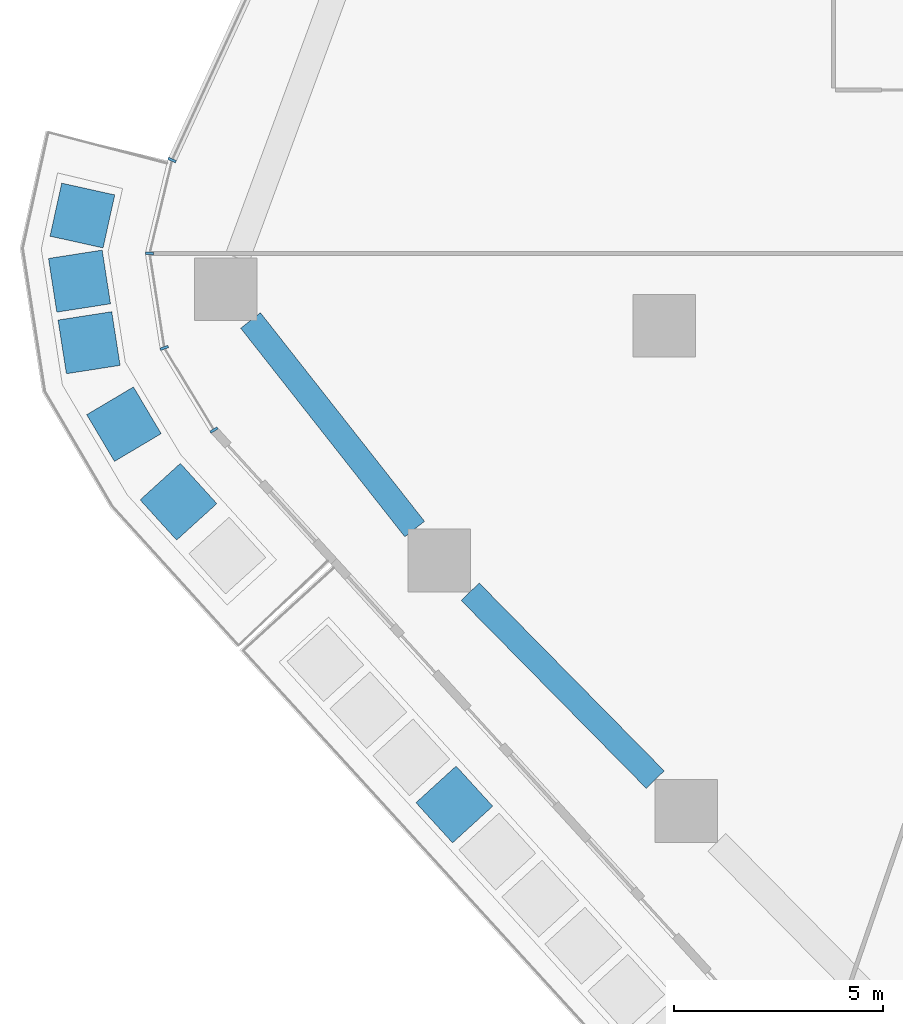
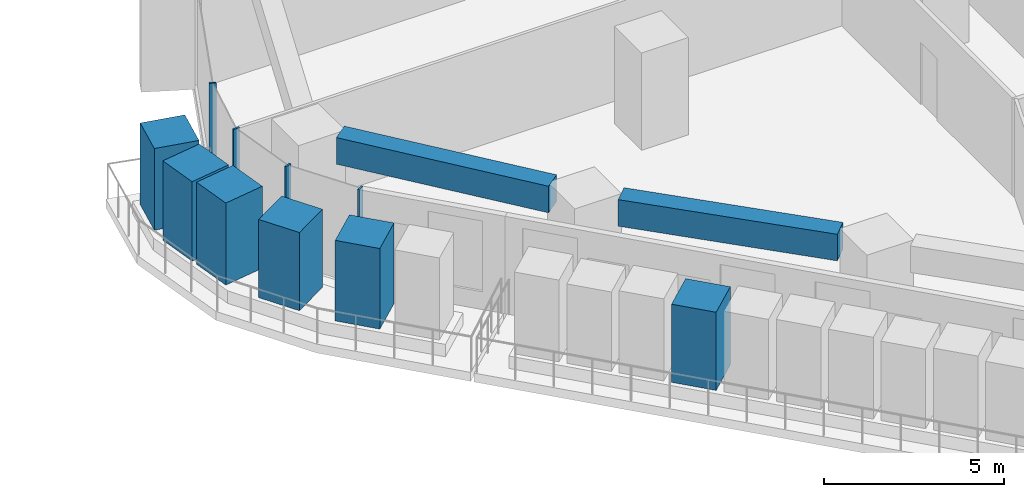
# One storey, part 3 of 26: 10 members, 2 beams, 2 elements without a shape of their own.
"""IFC4 building model written with IfcOpenShell, lengths in metres."""

import ifcopenshell
import ifcopenshell.guid

model = None  # the IFC model being written
_history = None  # IfcOwnerHistory: only IFC2X3 demands one
_inside = {}  # id of a spatial element -> (the spatial element, [elements in it])
_under = {}  # id of a project, library or spatial element -> (it, [spatial elements below it])
_declared = {}  # id of a project -> (the project, [libraries it declares])
_typed = {}  # id of a type object -> (the type object, [elements of that type])
_made_of = {}  # id of a material, layer set ... -> (it, [elements and type objects made of it])


def new_model(schema):
    """Start an empty IFC model of exactly this schema.

    Asked for "IFC4X3", IfcOpenShell would pick the latest addendum, in which some entities
    have other attributes; the version numbers below select the first issue.
    IFC2X3 requires an IfcOwnerHistory on every rooted entity: one is made here for all.
    """
    global model, _history
    if schema == "IFC4X3":
        model = ifcopenshell.file(schema_version=(4, 3, 0, 0))
    else:
        model = ifcopenshell.file(schema=schema)
    _inside.clear()
    _under.clear()
    _declared.clear()
    _typed.clear()
    _made_of.clear()
    _history = None
    if model.schema == "IFC2X3":
        org = make("IfcOrganization", Name="unknown")
        user = make(
            "IfcPersonAndOrganization",
            ThePerson=make("IfcPerson", FamilyName="unknown"),
            TheOrganization=org,
        )
        app = make(
            "IfcApplication",
            ApplicationDeveloper=org,
            Version="unknown",
            ApplicationFullName="unknown",
            ApplicationIdentifier="unknown",
        )
        _history = make(
            "IfcOwnerHistory",
            OwningUser=user,
            OwningApplication=app,
            ChangeAction="ADDED",
            CreationDate=0,
        )
    return model


def make(cls, **values):
    """One entity of the class cls with the attributes given. An attribute that is None is left unset."""
    return model.create_entity(
        cls, **{name: value for name, value in values.items() if value is not None}
    )


def rooted(cls, **values):
    """An entity with a GlobalId (a new one), such as an element, a storey or a relation."""
    return make(cls, GlobalId=ifcopenshell.guid.new(), OwnerHistory=_history, **values)


def si_unit(unit_type, name, prefix=None):
    """IfcSIUnit, for example si_unit("LENGTHUNIT", "METRE", prefix="MILLI")."""
    return make("IfcSIUnit", UnitType=unit_type, Prefix=prefix, Name=name)


def assignment(units):
    """IfcUnitAssignment: the units of a project."""
    return None if units is None else make("IfcUnitAssignment", Units=units)


def point(xyz):
    """IfcCartesianPoint."""
    return None if xyz is None else make("IfcCartesianPoint", Coordinates=xyz)


def direction(xyz):
    """IfcDirection."""
    return None if xyz is None else make("IfcDirection", DirectionRatios=xyz)


def frame(location, z_axis=None, x_axis=None):
    """IfcAxis2Placement3D, a coordinate frame: its origin and axes. An axis left out is left unset."""
    return make(
        "IfcAxis2Placement3D",
        Location=point(location),
        Axis=direction(z_axis),
        RefDirection=direction(x_axis),
    )


def frame_2d(location, x_axis=None):
    """IfcAxis2Placement2D, a coordinate frame in the plane: its origin and x axis."""
    return make(
        "IfcAxis2Placement2D", Location=point(location), RefDirection=direction(x_axis)
    )


def origin():
    """The frame at (0, 0, 0) with its axes left unset."""
    return frame((0.0, 0.0, 0.0))


def origin_2d():
    """The frame at (0, 0) in the plane with its x axis left unset."""
    return frame_2d((0.0, 0.0))


def place(relative_to, where):
    """IfcLocalPlacement: puts the frame where relative to a parent placement (None: the world)."""
    return make(
        "IfcLocalPlacement", PlacementRelTo=relative_to, RelativePlacement=where
    )


def context(
    kind, dimensions, precision=None, world=None, true_north=None, identifier=None
):
    """IfcGeometricRepresentationContext, for example the 3D "Model" context."""
    return make(
        "IfcGeometricRepresentationContext",
        ContextIdentifier=identifier,
        ContextType=kind,
        CoordinateSpaceDimension=dimensions,
        Precision=precision,
        WorldCoordinateSystem=world,
        TrueNorth=true_north,
    )


def subcontext(parent, identifier, kind, view, scale=None):
    """IfcGeometricRepresentationSubContext, for example "Body" below "Model"."""
    return make(
        "IfcGeometricRepresentationSubContext",
        ContextIdentifier=identifier,
        ContextType=kind,
        ParentContext=parent,
        TargetScale=scale,
        TargetView=view,
    )


def project(units=None, contexts=None):
    """IfcProject with its units and contexts."""
    return rooted(
        "IfcProject",
        Name="project",
        RepresentationContexts=contexts,
        UnitsInContext=assignment(units),
    )


def spatial(cls, under=None, at=None, **own):
    """A site, building, storey or space (cls), placed at a placement, below another one or the project."""
    s = rooted(cls, ObjectPlacement=at, **own)
    if under is not None:
        _under.setdefault(under.id(), (under, []))[1].append(s)
    return s


def profile(cls, at=None, kind="AREA", **sizes):
    """A parametric profile (cls). Its sizes go by their IFC names, for example OverallWidth=200.0."""
    return make(cls, ProfileType=kind, Position=at, **sizes)


def rectangle(**sizes):
    """IfcRectangleProfileDef."""
    return profile("IfcRectangleProfileDef", **sizes)


def extrude(swept, where, along, depth):
    """IfcExtrudedAreaSolid: the profile swept, set in the frame where, extruded along a direction by depth."""
    return make(
        "IfcExtrudedAreaSolid",
        SweptArea=swept,
        Position=where,
        ExtrudedDirection=direction(along),
        Depth=depth,
    )


def shape(context_of_items, identifier, shape_type, items):
    """IfcShapeRepresentation: the items that make up one representation, for example the "Body"."""
    return make(
        "IfcShapeRepresentation",
        ContextOfItems=context_of_items,
        RepresentationIdentifier=identifier,
        RepresentationType=shape_type,
        Items=items,
    )


def material(Name=None, Category=None):
    """IfcMaterial."""
    return make("IfcMaterial", Name=Name, Category=Category)


def layer(
    of_material, thickness, ventilated=None, Name=None, Category=None, Priority=None
):
    """IfcMaterialLayer: one layer of a wall or slab, of a material (None: an air gap)."""
    return make(
        "IfcMaterialLayer",
        Material=of_material,
        LayerThickness=thickness,
        IsVentilated=ventilated,
        Name=Name,
        Category=Category,
        Priority=Priority,
    )


def layer_set(layers, Name=None):
    """IfcMaterialLayerSet."""
    return make("IfcMaterialLayerSet", MaterialLayers=layers, LayerSetName=Name)


def material_profile(
    of_material, cross_section, Name=None, Category=None, Priority=None
):
    """IfcMaterialProfile: a cross section and its material."""
    return make(
        "IfcMaterialProfile",
        Name=Name,
        Material=of_material,
        Profile=cross_section,
        Priority=Priority,
        Category=Category,
    )


def profile_set(profiles, Name=None, composite=None):
    """IfcMaterialProfileSet."""
    return make(
        "IfcMaterialProfileSet",
        Name=Name,
        MaterialProfiles=profiles,
        CompositeProfile=composite,
    )


def made_of(thing, what):
    """Note that an element or type object is made of a material, layer set ...; save() writes the relation."""
    if what is not None:
        _made_of.setdefault(what.id(), (what, []))[1].append(thing)
    return thing


def type_object(cls, material=None, **own):
    """A type object (cls), such as IfcWallType, which elements share."""
    return made_of(rooted(cls, **own), material)


def element(
    cls,
    number,
    at=None,
    inside=None,
    cuts=None,
    type_object=None,
    material=None,
    context=None,
    identifier="Body",
    shape_type=None,
    held_by="IfcProductDefinitionShape",
    body=None,
    shapes=None,
    **own,
):
    """One element of the class cls, such as IfcWall. Its Tag is "e" and its number.

    at: its placement. inside: the storey or other place that contains it. cuts: it is an
    opening in that element (IfcRelVoidsElement). A single representation is given by context,
    identifier, shape_type and body (its items); several are given by shapes. held_by: the class
    of the entity that holds the representations. save() writes the other relations.
    """
    e = rooted(cls, Tag="e%d" % number, ObjectPlacement=at, **own)
    if body is not None:
        shapes = [shape(context, identifier, shape_type, body)]
    if shapes is not None:
        e.Representation = make(held_by, Representations=shapes)
    if inside is not None:
        _inside.setdefault(inside.id(), (inside, []))[1].append(e)
    if cuts is not None:
        rooted(
            "IfcRelVoidsElement", RelatingBuildingElement=cuts, RelatedOpeningElement=e
        )
    if type_object is not None:
        _typed.setdefault(type_object.id(), (type_object, []))[1].append(e)
    return made_of(e, material)


def aggregate(whole, parts):
    """IfcRelAggregates: a whole, such as a stair, and the parts it consists of."""
    return rooted("IfcRelAggregates", RelatingObject=whole, RelatedObjects=parts)


def save(model, path):
    """Write the relations noted so far, then the file.

    IfcRelAggregates (storeys below a building ...), IfcRelContainedInSpatialStructure (elements
    in a storey), IfcRelDefinesByType, IfcRelAssociatesMaterial and IfcRelDeclares: one each for
    every whole, place, type object, material and project.
    """
    for whole, parts in _under.values():
        aggregate(whole, parts)
    for where, things in _inside.values():
        rooted(
            "IfcRelContainedInSpatialStructure",
            RelatedElements=things,
            RelatingStructure=where,
        )
    for kind, things in _typed.values():
        rooted("IfcRelDefinesByType", RelatedObjects=things, RelatingType=kind)
    for what, things in _made_of.values():
        rooted("IfcRelAssociatesMaterial", RelatedObjects=things, RelatingMaterial=what)
    for by, libraries in _declared.values():
        rooted("IfcRelDeclares", RelatingContext=by, RelatedDefinitions=libraries)
    model.write(path)


model = new_model("IFC4")

# Units and contexts
model_context = context("Model", 3, precision=1e-05, world=origin(), true_north=direction((0.0, 1.0)))
body_context = subcontext(model_context, "Body", "Model", "MODEL_VIEW")
ifc_project = project(units=[si_unit("LENGTHUNIT", "METRE"), si_unit("AREAUNIT", "SQUARE_METRE"), si_unit("VOLUMEUNIT", "CUBIC_METRE"), si_unit("PLANEANGLEUNIT", "RADIAN"), si_unit("MASSUNIT", "GRAM", prefix="KILO")], contexts=[model_context])

# Site, building, storey
site_placement = place(None, origin())
site = spatial("IfcSite", under=ifc_project, at=site_placement, CompositionType="ELEMENT")
building_placement = place(site_placement, origin())
building = spatial("IfcBuilding", under=site, at=building_placement, Name="Dongbaek Canopy Tower", CompositionType="ELEMENT")
storey_placement = place(building_placement, frame((0.0, 0.0, 66.199951171875)))
storey = spatial("IfcBuildingStorey", under=building, at=storey_placement, Name="L12", CompositionType="ELEMENT", Elevation=66.199951171875)

# Curtain wall, member
ifc_material_1 = material(Name="Aluminium 6063-T6 pale anodised", Category="aluminium")
ifc_layer = layer(ifc_material_1, 0.199951171875)
ifc_layer_set = layer_set([ifc_layer], Name="CW-1 unitised tower curtain wall")
curtain_wall_type = type_object("IfcCurtainWallType", Name="CW-1 unitised tower curtain wall", PredefinedType="NOTDEFINED", material=ifc_layer_set)
curtain_wall_1_placement = place(storey_placement, origin())
curtain_wall_1 = element("IfcCurtainWall", 1, at=curtain_wall_1_placement, inside=storey, type_object=curtain_wall_type, Name="CW-1 curtain wall F2.1", PredefinedType="NOTDEFINED")
ifc_material_2 = material(Name="Aluminium 6063-T6 pale anodised", Category="aluminium")
ifc_material_profile_1 = material_profile(ifc_material_2, rectangle(XDim=0.199951171875, YDim=0.06005859375, at=origin_2d()), Name="CW-1 mullion 60 x 200")
ifc_profile_set_1 = profile_set([ifc_material_profile_1], Name="Aluminium 6063-T6 pale anodised")
member_type_1 = type_object("IfcMemberType", Name="CW-1 mullion 60 x 200", PredefinedType="MULLION", material=ifc_profile_set_1)
member_1_placement = place(storey_placement, frame((-38.776611328125, -5.03515625, 0.1201171875), z_axis=(0.0, 0.0, 1.0), x_axis=(-0.908435687115, 0.418024643264, 0.0)))
member_1 = element("IfcMember", 2, at=member_1_placement, type_object=member_type_1, Name="CW-1 mullion F2.1.10", PredefinedType="MULLION", context=body_context, shape_type="SweptSolid", body=[
    extrude(rectangle(XDim=0.199951171875, YDim=0.06005859375, at=origin_2d()), origin(), (0.0, 0.0, 1.0), 3.179931640625),
])
aggregate(curtain_wall_1, [member_1])

# Curtain wall, members
curtain_wall_2_placement = place(storey_placement, origin())
curtain_wall_2 = element("IfcCurtainWall", 3, at=curtain_wall_2_placement, inside=storey, type_object=curtain_wall_type, Name="CW-1 curtain wall K3.1", PredefinedType="NOTDEFINED")
member_2_placement = place(storey_placement, frame((-39.31396484375, -7.268798828125, 0.0), z_axis=(0.0, 0.0, 1.0), x_axis=(-0.999160812503, 0.040959379368, 0.0)))
member_2 = element("IfcMember", 4, at=member_2_placement, type_object=member_type_1, Name="CW-1 mullion K3.1.2", PredefinedType="MULLION", context=body_context, shape_type="SweptSolid", body=[
    extrude(rectangle(XDim=0.199951171875, YDim=0.06005859375, at=origin_2d()), origin(), (0.0, 0.0, 1.0), 3.300048828125),
])
member_3_placement = place(storey_placement, frame((-38.962890625, -9.529052734375, 0.0), z_axis=(0.0, 0.0, 1.0), x_axis=(-0.939602897843, -0.342266554551, 0.0)))
member_3 = element("IfcMember", 5, at=member_3_placement, type_object=member_type_1, Name="CW-1 mullion K3.1.3", PredefinedType="MULLION", context=body_context, shape_type="SweptSolid", body=[
    extrude(rectangle(XDim=0.199951171875, YDim=0.06005859375, at=origin_2d()), origin(), (0.0, 0.0, 1.0), 3.300048828125),
])
member_4_placement = place(storey_placement, frame((-37.772705078125, -11.494140625, 0.0), z_axis=(0.0, 0.0, 1.0), x_axis=(-0.855398020163, -0.517971260884, 0.0)))
member_4 = element("IfcMember", 6, at=member_4_placement, type_object=member_type_1, Name="CW-1 mullion K3.1.4", PredefinedType="MULLION", context=body_context, shape_type="SweptSolid", body=[
    extrude(rectangle(XDim=0.199951171875, YDim=0.06005859375, at=origin_2d()), origin(), (0.0, 0.0, 1.0), 3.300048828125),
])
aggregate(curtain_wall_2, [member_2, member_3, member_4])

# Beams
ifc_material_3 = material(Name="Concrete C80", Category="concrete")
ifc_material_profile_2 = material_profile(ifc_material_3, rectangle(XDim=0.60009765625, YDim=0.89990234375, at=origin_2d()), Name="RC EDGE BEAM 600x900 C80")
ifc_profile_set_2 = profile_set([ifc_material_profile_2], Name="Concrete C80")
beam_type = type_object("IfcBeamType", Name="RC EDGE BEAM 600x900 C80", PredefinedType="BEAM", material=ifc_profile_set_2)
beam_1_placement = place(storey_placement, frame((-27.216552734375, -19.85791015625, 2.85009765625), z_axis=(-0.701687682569, 0.712484663787, 0.0), x_axis=(-0.712484663787, -0.701687682569, 0.0)))
element("IfcBeam", 7, at=beam_1_placement, inside=storey, type_object=beam_type, Name="EDGEBEAM:L12:06", PredefinedType="BEAM", context=body_context, shape_type="SweptSolid", body=[
    extrude(rectangle(XDim=0.60009765625, YDim=0.89990234375, at=origin_2d()), origin(), (0.0, 0.0, 1.0), 6.308837890625),
])
beam_2_placement = place(storey_placement, frame((-32.97216796875, -13.863037109375, 2.85009765625), z_axis=(-0.618386857787, 0.785873841094, 0.0), x_axis=(-0.785873841094, -0.618386857787, 0.0)))
element("IfcBeam", 8, at=beam_2_placement, inside=storey, type_object=beam_type, Name="EDGEBEAM:L12:07", PredefinedType="BEAM", context=body_context, shape_type="SweptSolid", body=[
    extrude(rectangle(XDim=0.60009765625, YDim=0.89990234375, at=origin_2d()), origin(), (0.0, 0.0, 1.0), 6.349609375),
])

# Members
ifc_material_4 = material(Name="Concrete C40/50 planter mass with planting", Category="concrete")
ifc_material_profile_3 = material_profile(ifc_material_4, rectangle(XDim=1.300048828125, YDim=1.300048828125, at=origin_2d()), Name="Terrace PLANTER shrub mass 1300 x 1300")
ifc_profile_set_3 = profile_set([ifc_material_profile_3], Name="Concrete C40/50 planter mass with planting")
member_type_2 = type_object("IfcMemberType", Name="Terrace PLANTER shrub mass 1300 x 1300", PredefinedType="USERDEFINED", material=ifc_profile_set_3)
member_5_placement = place(storey_placement, frame((-32.023193359375, -20.45166015625, 0.420166015625), z_axis=(0.0, 0.0, 1.0), x_axis=(-0.738720005108, -0.674012428708, 0.0)))
element("IfcMember", 9, at=member_5_placement, inside=storey, type_object=member_type_2, Name="Planter shrubs L12 3.4", ObjectType="PLANTER", PredefinedType="USERDEFINED", context=body_context, shape_type="SweptSolid", body=[
    extrude(rectangle(XDim=1.300048828125, YDim=1.300048828125, at=origin_2d()), origin(), (0.0, 0.0, 1.0), 2.64990234375),
])
member_6_placement = place(storey_placement, frame((-40.920654296875, -6.363037109375, 0.420166015625), z_axis=(0.0, 0.0, 1.0), x_axis=(-0.976482122807, 0.21559838552, 0.0)))
element("IfcMember", 10, at=member_6_placement, inside=storey, type_object=member_type_2, Name="Planter shrubs L12 7.1", ObjectType="PLANTER", PredefinedType="USERDEFINED", context=body_context, shape_type="SweptSolid", body=[
    extrude(rectangle(XDim=1.300048828125, YDim=1.300048828125, at=origin_2d()), origin(), (0.0, 0.0, 1.0), 2.769775390625),
])
member_7_placement = place(storey_placement, frame((-40.989990234375, -7.93212890625, 0.420166015625), z_axis=(0.0, 0.0, 1.0), x_axis=(-0.988138001622, -0.153568518099, 0.0)))
element("IfcMember", 11, at=member_7_placement, inside=storey, type_object=member_type_2, Name="Planter shrubs L12 7.2", ObjectType="PLANTER", PredefinedType="USERDEFINED", context=body_context, shape_type="SweptSolid", body=[
    extrude(rectangle(XDim=1.300048828125, YDim=1.300048828125, at=origin_2d()), origin(), (0.0, 0.0, 1.0), 2.68994140625),
])
member_8_placement = place(storey_placement, frame((-40.760986328125, -9.405517578125, 0.420166015625), z_axis=(0.0, 0.0, 1.0), x_axis=(-0.988138001622, -0.153568518099, 0.0)))
element("IfcMember", 12, at=member_8_placement, inside=storey, type_object=member_type_2, Name="Planter shrubs L12 7.3", ObjectType="PLANTER", PredefinedType="USERDEFINED", context=body_context, shape_type="SweptSolid", body=[
    extrude(rectangle(XDim=1.300048828125, YDim=1.300048828125, at=origin_2d()), origin(), (0.0, 0.0, 1.0), 2.77978515625),
])
member_9_placement = place(storey_placement, frame((-39.926513671875, -11.3544921875, 0.420166015625), z_axis=(0.0, 0.0, 1.0), x_axis=(-0.859783398901, -0.510658894932, 0.0)))
element("IfcMember", 13, at=member_9_placement, inside=storey, type_object=member_type_2, Name="Planter shrubs L12 7.4", ObjectType="PLANTER", PredefinedType="USERDEFINED", context=body_context, shape_type="SweptSolid", body=[
    extrude(rectangle(XDim=1.300048828125, YDim=1.300048828125, at=origin_2d()), origin(), (0.0, 0.0, 1.0), 2.64990234375),
])
member_10_placement = place(storey_placement, frame((-38.6220703125, -13.210205078125, 0.420166015625), z_axis=(0.0, 0.0, 1.0), x_axis=(-0.740275867096, -0.672303235598, 0.0)))
element("IfcMember", 14, at=member_10_placement, inside=storey, type_object=member_type_2, Name="Planter shrubs L12 7.5", ObjectType="PLANTER", PredefinedType="USERDEFINED", context=body_context, shape_type="SweptSolid", body=[
    extrude(rectangle(XDim=1.300048828125, YDim=1.300048828125, at=origin_2d()), origin(), (0.0, 0.0, 1.0), 2.72998046875),
])

save(model, "model.ifc")
